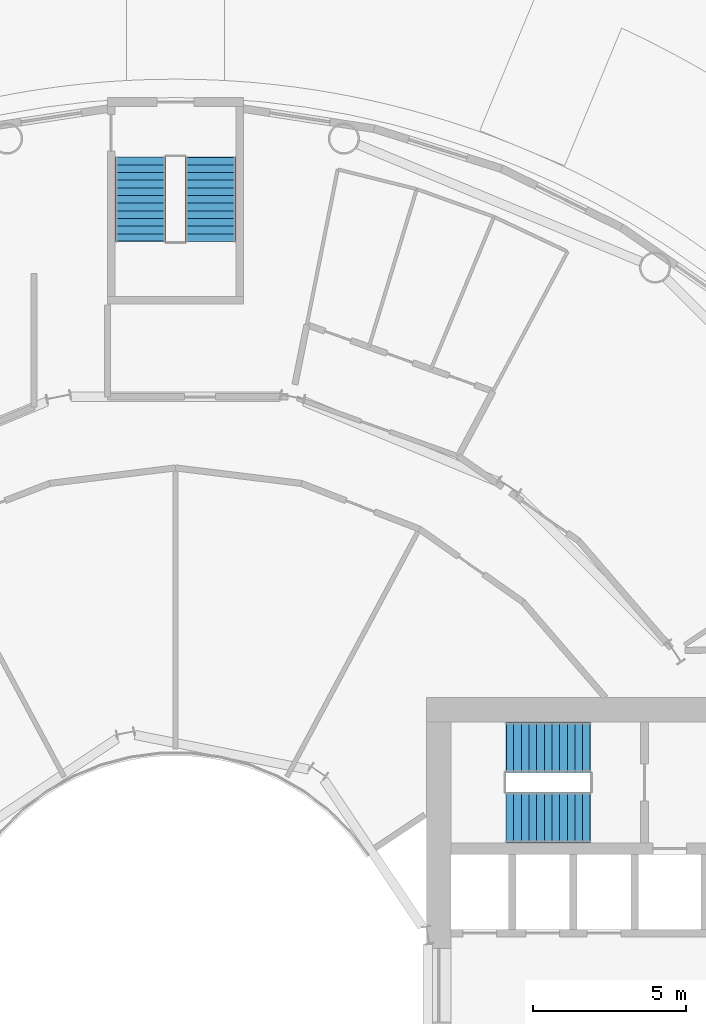
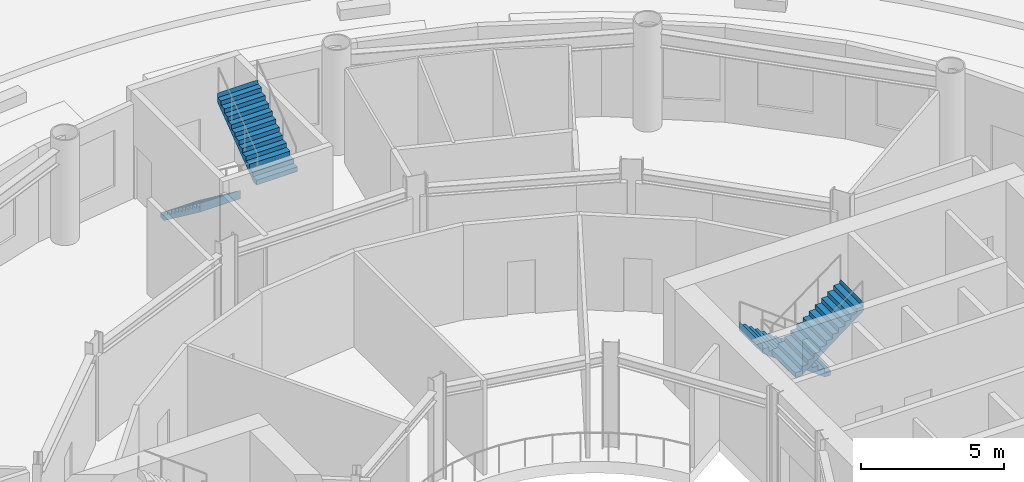
# One storey, part 17 of 19: 4 stair flights, 2 elements without a shape of their own.
"""IFC4 building model written with IfcOpenShell, lengths in metres."""

from ifc_helpers import new_model, si_unit, direction, frame, origin, place, context, subcontext, project, spatial, triangles, material, type_object, element, aggregate, save


model = new_model("IFC4")

# Units and contexts
model_context = context("Model", 3, precision=1e-05, world=origin(), true_north=direction((0.0, 1.0)))
body_context = subcontext(model_context, "Body", "Model", "MODEL_VIEW")
ifc_project = project(units=[si_unit("LENGTHUNIT", "METRE"), si_unit("AREAUNIT", "SQUARE_METRE"), si_unit("VOLUMEUNIT", "CUBIC_METRE"), si_unit("PLANEANGLEUNIT", "RADIAN"), si_unit("MASSUNIT", "GRAM", prefix="KILO")], contexts=[model_context])

# Site, building, storey
site_placement = place(None, origin())
site = spatial("IfcSite", under=ifc_project, at=site_placement, CompositionType="ELEMENT")
building_placement = place(site_placement, origin())
building = spatial("IfcBuilding", under=site, at=building_placement, Name="Maasbend Ring Residences", CompositionType="ELEMENT")
storey_placement = place(building_placement, frame((0.0, 0.0, 9.60009765625)))
storey = spatial("IfcBuildingStorey", under=building, at=storey_placement, Name="L02", CompositionType="ELEMENT", Elevation=9.60009765625)

# Stair, stair flights
ifc_material_1 = material(Name="Concrete C40/50", Category="concrete")
stair_type = type_object("IfcStairType", Name="CORE STAIR 24 RISERS", PredefinedType="HALF_TURN_STAIR", material=ifc_material_1)
stair_1_placement = place(storey_placement, origin())
stair_1 = element("IfcStair", 1, at=stair_1_placement, inside=storey, type_object=stair_type, Name="L02 Exit stair ST-E1", PredefinedType="HALF_TURN_STAIR")
ifc_material_2 = material(Name="Concrete C40/50", Category="concrete")
stair_flight_type = type_object("IfcStairFlightType", Name="CORE STAIR FLIGHT 1650", PredefinedType="STRAIGHT", material=ifc_material_2)
stair_flight_1_placement = place(storey_placement, frame((13.550048828125, 7.77490234375, 0.0), z_axis=(0.0, 0.0, 1.0), x_axis=(-1.0, 0.0, 0.0)))
stair_flight_1 = element("IfcStairFlight", 2, at=stair_flight_1_placement, type_object=stair_flight_type, Name="ST-E1 flight 1", NumberOfRisers=12, NumberOfTreads=11, PredefinedType="STRAIGHT", RiserHeight=0.1875, TreadLength=0.25, context=body_context, shape_type="Tessellation", body=[
    triangles([(0.22607421875, 0.824951171875, -0.02001953125), (2.7529296875, 0.824951171875, 1.875), (2.7529296875, 0.824951171875, 2.25), (2.739990234375, 0.824951171875, 2.0625), (2.5, 0.824951171875, 2.0625), (2.5, 0.824951171875, 1.875), (2.25, 0.824951171875, 1.875), (2.25, 0.824951171875, 1.6875), (2.0, 0.824951171875, 1.6875), (2.0, 0.824951171875, 1.5), (1.75, 0.824951171875, 1.5), (1.75, 0.824951171875, 1.3125), (1.5, 0.824951171875, 1.3125), (1.5, 0.824951171875, 1.125), (1.25, 0.824951171875, 1.125), (1.25, 0.824951171875, 0.9375), (1.0, 0.824951171875, 0.9375), (1.0, 0.824951171875, 0.75), (0.75, 0.824951171875, 0.75), (0.75, 0.824951171875, 0.5625), (0.5, 0.824951171875, 0.5625), (0.5, 0.824951171875, 0.375), (0.25, 0.824951171875, 0.375), (0.25, 0.824951171875, 0.1875), (0.0, 0.824951171875, 0.1875), (0.0, 0.824951171875, 0.0), (-0.0029296875, 0.824951171875, 0.0), (-0.0029296875, 0.824951171875, -0.02001953125), (0.22607421875, -0.824951171875, -0.02001953125), (2.7529296875, -0.824951171875, 1.875), (2.7529296875, -0.824951171875, 2.25), (2.739990234375, -0.824951171875, 2.0625), (2.5, -0.824951171875, 2.0625), (2.5, -0.824951171875, 1.875), (2.25, -0.824951171875, 1.875), (2.25, -0.824951171875, 1.6875), (2.0, -0.824951171875, 1.6875), (2.0, -0.824951171875, 1.5), (1.75, -0.824951171875, 1.5), (1.75, -0.824951171875, 1.3125), (1.5, -0.824951171875, 1.3125), (1.5, -0.824951171875, 1.125), (1.25, -0.824951171875, 1.125), (1.25, -0.824951171875, 0.9375), (1.0, -0.824951171875, 0.9375), (1.0, -0.824951171875, 0.75), (0.75, -0.824951171875, 0.75), (0.75, -0.824951171875, 0.5625), (0.5, -0.824951171875, 0.5625), (0.5, -0.824951171875, 0.375), (0.25, -0.824951171875, 0.375), (0.25, -0.824951171875, 0.1875), (0.0, -0.824951171875, 0.1875), (0.0, -0.824951171875, 0.0), (-0.0029296875, -0.824951171875, 0.0), (-0.0029296875, -0.824951171875, -0.02001953125)], [[1, 2, 30], [1, 30, 29], [2, 3, 31], [2, 31, 30], [3, 4, 32], [3, 32, 31], [4, 5, 33], [4, 33, 32], [5, 6, 34], [5, 34, 33], [6, 7, 35], [6, 35, 34], [7, 8, 36], [7, 36, 35], [8, 9, 37], [8, 37, 36], [9, 10, 38], [9, 38, 37], [10, 11, 39], [10, 39, 38], [11, 12, 40], [11, 40, 39], [12, 13, 41], [12, 41, 40], [13, 14, 42], [13, 42, 41], [14, 15, 43], [14, 43, 42], [15, 16, 44], [15, 44, 43], [16, 17, 45], [16, 45, 44], [17, 18, 46], [17, 46, 45], [18, 19, 47], [18, 47, 46], [19, 20, 48], [19, 48, 47], [20, 21, 49], [20, 49, 48], [21, 22, 50], [21, 50, 49], [22, 23, 51], [22, 51, 50], [23, 24, 52], [23, 52, 51], [24, 25, 53], [24, 53, 52], [25, 26, 54], [25, 54, 53], [26, 27, 55], [26, 55, 54], [27, 28, 56], [27, 56, 55], [28, 1, 29], [28, 29, 56], [28, 2, 1], [2, 4, 3], [2, 5, 4], [2, 6, 5], [28, 6, 2], [6, 8, 7], [28, 8, 6], [8, 10, 9], [28, 10, 8], [10, 12, 11], [28, 12, 10], [12, 14, 13], [28, 14, 12], [14, 16, 15], [28, 16, 14], [16, 18, 17], [28, 18, 16], [18, 20, 19], [28, 20, 18], [20, 22, 21], [28, 22, 20], [22, 24, 23], [28, 24, 22], [24, 26, 25], [28, 26, 24], [26, 28, 27], [56, 29, 30], [30, 31, 32], [30, 32, 33], [30, 33, 34], [56, 30, 34], [34, 35, 36], [56, 34, 36], [36, 37, 38], [56, 36, 38], [38, 39, 40], [56, 38, 40], [40, 41, 42], [56, 40, 42], [42, 43, 44], [56, 42, 44], [44, 45, 46], [56, 44, 46], [46, 47, 48], [56, 46, 48], [48, 49, 50], [56, 48, 50], [50, 51, 52], [56, 50, 52], [52, 53, 54], [56, 52, 54], [54, 55, 56]], closed=True),
])
stair_flight_2_placement = place(storey_placement, frame((10.800048828125, 5.47509765625, 2.25), z_axis=(0.0, 0.0, 1.0), x_axis=(1.0, 0.0, 0.0)))
stair_flight_2 = element("IfcStairFlight", 3, at=stair_flight_2_placement, type_object=stair_flight_type, Name="ST-E1 flight 2", NumberOfRisers=12, NumberOfTreads=11, PredefinedType="STRAIGHT", RiserHeight=0.1875, TreadLength=0.25, context=body_context, shape_type="Tessellation", body=[
    triangles([(0.22607421875, 0.824951171875, -0.02001953125), (2.7529296875, 0.824951171875, 1.875), (2.7529296875, 0.824951171875, 2.25), (2.739990234375, 0.824951171875, 2.0625), (2.5, 0.824951171875, 2.0625), (2.5, 0.824951171875, 1.875), (2.25, 0.824951171875, 1.875), (2.25, 0.824951171875, 1.6875), (2.0, 0.824951171875, 1.6875), (2.0, 0.824951171875, 1.5), (1.75, 0.824951171875, 1.5), (1.75, 0.824951171875, 1.3125), (1.5, 0.824951171875, 1.3125), (1.5, 0.824951171875, 1.125), (1.25, 0.824951171875, 1.125), (1.25, 0.824951171875, 0.9375), (1.0, 0.824951171875, 0.9375), (1.0, 0.824951171875, 0.75), (0.75, 0.824951171875, 0.75), (0.75, 0.824951171875, 0.5625), (0.5, 0.824951171875, 0.5625), (0.5, 0.824951171875, 0.375), (0.25, 0.824951171875, 0.375), (0.25, 0.824951171875, 0.1875), (0.0, 0.824951171875, 0.1875), (0.0, 0.824951171875, 0.0), (-0.0029296875, 0.824951171875, 0.0), (-0.0029296875, 0.824951171875, -0.02001953125), (0.22607421875, -0.824951171875, -0.02001953125), (2.7529296875, -0.824951171875, 1.875), (2.7529296875, -0.824951171875, 2.25), (2.739990234375, -0.824951171875, 2.0625), (2.5, -0.824951171875, 2.0625), (2.5, -0.824951171875, 1.875), (2.25, -0.824951171875, 1.875), (2.25, -0.824951171875, 1.6875), (2.0, -0.824951171875, 1.6875), (2.0, -0.824951171875, 1.5), (1.75, -0.824951171875, 1.5), (1.75, -0.824951171875, 1.3125), (1.5, -0.824951171875, 1.3125), (1.5, -0.824951171875, 1.125), (1.25, -0.824951171875, 1.125), (1.25, -0.824951171875, 0.9375), (1.0, -0.824951171875, 0.9375), (1.0, -0.824951171875, 0.75), (0.75, -0.824951171875, 0.75), (0.75, -0.824951171875, 0.5625), (0.5, -0.824951171875, 0.5625), (0.5, -0.824951171875, 0.375), (0.25, -0.824951171875, 0.375), (0.25, -0.824951171875, 0.1875), (0.0, -0.824951171875, 0.1875), (0.0, -0.824951171875, 0.0), (-0.0029296875, -0.824951171875, 0.0), (-0.0029296875, -0.824951171875, -0.02001953125)], [[1, 2, 30], [1, 30, 29], [2, 3, 31], [2, 31, 30], [3, 4, 32], [3, 32, 31], [4, 5, 33], [4, 33, 32], [5, 6, 34], [5, 34, 33], [6, 7, 35], [6, 35, 34], [7, 8, 36], [7, 36, 35], [8, 9, 37], [8, 37, 36], [9, 10, 38], [9, 38, 37], [10, 11, 39], [10, 39, 38], [11, 12, 40], [11, 40, 39], [12, 13, 41], [12, 41, 40], [13, 14, 42], [13, 42, 41], [14, 15, 43], [14, 43, 42], [15, 16, 44], [15, 44, 43], [16, 17, 45], [16, 45, 44], [17, 18, 46], [17, 46, 45], [18, 19, 47], [18, 47, 46], [19, 20, 48], [19, 48, 47], [20, 21, 49], [20, 49, 48], [21, 22, 50], [21, 50, 49], [22, 23, 51], [22, 51, 50], [23, 24, 52], [23, 52, 51], [24, 25, 53], [24, 53, 52], [25, 26, 54], [25, 54, 53], [26, 27, 55], [26, 55, 54], [27, 28, 56], [27, 56, 55], [28, 1, 29], [28, 29, 56], [28, 2, 1], [2, 4, 3], [2, 5, 4], [2, 6, 5], [28, 6, 2], [6, 8, 7], [28, 8, 6], [8, 10, 9], [28, 10, 8], [10, 12, 11], [28, 12, 10], [12, 14, 13], [28, 14, 12], [14, 16, 15], [28, 16, 14], [16, 18, 17], [28, 18, 16], [18, 20, 19], [28, 20, 18], [20, 22, 21], [28, 22, 20], [22, 24, 23], [28, 24, 22], [24, 26, 25], [28, 26, 24], [26, 28, 27], [56, 29, 30], [30, 31, 32], [30, 32, 33], [30, 33, 34], [56, 30, 34], [34, 35, 36], [56, 34, 36], [36, 37, 38], [56, 36, 38], [38, 39, 40], [56, 38, 40], [40, 41, 42], [56, 40, 42], [42, 43, 44], [56, 42, 44], [44, 45, 46], [56, 44, 46], [46, 47, 48], [56, 46, 48], [48, 49, 50], [56, 48, 50], [50, 51, 52], [56, 50, 52], [52, 53, 54], [56, 52, 54], [54, 55, 56]], closed=True),
])
aggregate(stair_1, [stair_flight_1, stair_flight_2])

stair_2_placement = place(storey_placement, origin())
stair_2 = element("IfcStair", 4, at=stair_2_placement, inside=storey, type_object=stair_type, Name="L02 Exit stair ST-P4", PredefinedType="HALF_TURN_STAIR")
stair_flight_3_placement = place(storey_placement, frame((-1.14990234375, 27.050048828125, 0.0), z_axis=(0.0, 0.0, 1.0), x_axis=(0.0, -1.0, 0.0)))
stair_flight_3 = element("IfcStairFlight", 5, at=stair_flight_3_placement, type_object=stair_flight_type, Name="ST-P4 flight 1", NumberOfRisers=12, NumberOfTreads=11, PredefinedType="STRAIGHT", RiserHeight=0.1875, TreadLength=0.25, context=body_context, shape_type="Tessellation", body=[
    triangles([(0.22607421875, 0.824951171875, -0.02001953125), (2.7529296875, 0.824951171875, 1.875), (2.7529296875, 0.824951171875, 2.25), (2.739990234375, 0.824951171875, 2.0625), (2.5, 0.824951171875, 2.0625), (2.5, 0.824951171875, 1.875), (2.25, 0.824951171875, 1.875), (2.25, 0.824951171875, 1.6875), (2.0, 0.824951171875, 1.6875), (2.0, 0.824951171875, 1.5), (1.75, 0.824951171875, 1.5), (1.75, 0.824951171875, 1.3125), (1.5, 0.824951171875, 1.3125), (1.5, 0.824951171875, 1.125), (1.25, 0.824951171875, 1.125), (1.25, 0.824951171875, 0.9375), (1.0, 0.824951171875, 0.9375), (1.0, 0.824951171875, 0.75), (0.75, 0.824951171875, 0.75), (0.75, 0.824951171875, 0.5625), (0.5, 0.824951171875, 0.5625), (0.5, 0.824951171875, 0.375), (0.25, 0.824951171875, 0.375), (0.25, 0.824951171875, 0.1875), (0.0, 0.824951171875, 0.1875), (0.0, 0.824951171875, 0.0), (-0.0029296875, 0.824951171875, 0.0), (-0.0029296875, 0.824951171875, -0.02001953125), (0.22607421875, -0.824951171875, -0.02001953125), (2.7529296875, -0.824951171875, 1.875), (2.7529296875, -0.824951171875, 2.25), (2.739990234375, -0.824951171875, 2.0625), (2.5, -0.824951171875, 2.0625), (2.5, -0.824951171875, 1.875), (2.25, -0.824951171875, 1.875), (2.25, -0.824951171875, 1.6875), (2.0, -0.824951171875, 1.6875), (2.0, -0.824951171875, 1.5), (1.75, -0.824951171875, 1.5), (1.75, -0.824951171875, 1.3125), (1.5, -0.824951171875, 1.3125), (1.5, -0.824951171875, 1.125), (1.25, -0.824951171875, 1.125), (1.25, -0.824951171875, 0.9375), (1.0, -0.824951171875, 0.9375), (1.0, -0.824951171875, 0.75), (0.75, -0.824951171875, 0.75), (0.75, -0.824951171875, 0.5625), (0.5, -0.824951171875, 0.5625), (0.5, -0.824951171875, 0.375), (0.25, -0.824951171875, 0.375), (0.25, -0.824951171875, 0.1875), (0.0, -0.824951171875, 0.1875), (0.0, -0.824951171875, 0.0), (-0.0029296875, -0.824951171875, 0.0), (-0.0029296875, -0.824951171875, -0.02001953125)], [[1, 2, 30], [1, 30, 29], [2, 3, 31], [2, 31, 30], [3, 4, 32], [3, 32, 31], [4, 5, 33], [4, 33, 32], [5, 6, 34], [5, 34, 33], [6, 7, 35], [6, 35, 34], [7, 8, 36], [7, 36, 35], [8, 9, 37], [8, 37, 36], [9, 10, 38], [9, 38, 37], [10, 11, 39], [10, 39, 38], [11, 12, 40], [11, 40, 39], [12, 13, 41], [12, 41, 40], [13, 14, 42], [13, 42, 41], [14, 15, 43], [14, 43, 42], [15, 16, 44], [15, 44, 43], [16, 17, 45], [16, 45, 44], [17, 18, 46], [17, 46, 45], [18, 19, 47], [18, 47, 46], [19, 20, 48], [19, 48, 47], [20, 21, 49], [20, 49, 48], [21, 22, 50], [21, 50, 49], [22, 23, 51], [22, 51, 50], [23, 24, 52], [23, 52, 51], [24, 25, 53], [24, 53, 52], [25, 26, 54], [25, 54, 53], [26, 27, 55], [26, 55, 54], [27, 28, 56], [27, 56, 55], [28, 1, 29], [28, 29, 56], [28, 2, 1], [2, 4, 3], [2, 5, 4], [2, 6, 5], [28, 6, 2], [6, 8, 7], [28, 8, 6], [8, 10, 9], [28, 10, 8], [10, 12, 11], [28, 12, 10], [12, 14, 13], [28, 14, 12], [14, 16, 15], [28, 16, 14], [16, 18, 17], [28, 18, 16], [18, 20, 19], [28, 20, 18], [20, 22, 21], [28, 22, 20], [22, 24, 23], [28, 24, 22], [24, 26, 25], [28, 26, 24], [26, 28, 27], [56, 29, 30], [30, 31, 32], [30, 32, 33], [30, 33, 34], [56, 30, 34], [34, 35, 36], [56, 34, 36], [36, 37, 38], [56, 36, 38], [38, 39, 40], [56, 38, 40], [40, 41, 42], [56, 40, 42], [42, 43, 44], [56, 42, 44], [44, 45, 46], [56, 44, 46], [46, 47, 48], [56, 46, 48], [48, 49, 50], [56, 48, 50], [50, 51, 52], [56, 50, 52], [52, 53, 54], [56, 52, 54], [54, 55, 56]], closed=True),
])
stair_flight_4_placement = place(storey_placement, frame((1.14990234375, 24.300048828125, 2.25), z_axis=(0.0, 0.0, 1.0), x_axis=(0.0, 1.0, 0.0)))
stair_flight_4 = element("IfcStairFlight", 6, at=stair_flight_4_placement, type_object=stair_flight_type, Name="ST-P4 flight 2", NumberOfRisers=12, NumberOfTreads=11, PredefinedType="STRAIGHT", RiserHeight=0.1875, TreadLength=0.25, context=body_context, shape_type="Tessellation", body=[
    triangles([(0.22607421875, 0.824951171875, -0.02001953125), (2.7529296875, 0.824951171875, 1.875), (2.7529296875, 0.824951171875, 2.25), (2.739990234375, 0.824951171875, 2.0625), (2.5, 0.824951171875, 2.0625), (2.5, 0.824951171875, 1.875), (2.25, 0.824951171875, 1.875), (2.25, 0.824951171875, 1.6875), (2.0, 0.824951171875, 1.6875), (2.0, 0.824951171875, 1.5), (1.75, 0.824951171875, 1.5), (1.75, 0.824951171875, 1.3125), (1.5, 0.824951171875, 1.3125), (1.5, 0.824951171875, 1.125), (1.25, 0.824951171875, 1.125), (1.25, 0.824951171875, 0.9375), (1.0, 0.824951171875, 0.9375), (1.0, 0.824951171875, 0.75), (0.75, 0.824951171875, 0.75), (0.75, 0.824951171875, 0.5625), (0.5, 0.824951171875, 0.5625), (0.5, 0.824951171875, 0.375), (0.25, 0.824951171875, 0.375), (0.25, 0.824951171875, 0.1875), (0.0, 0.824951171875, 0.1875), (0.0, 0.824951171875, 0.0), (-0.0029296875, 0.824951171875, 0.0), (-0.0029296875, 0.824951171875, -0.02001953125), (0.22607421875, -0.824951171875, -0.02001953125), (2.7529296875, -0.824951171875, 1.875), (2.7529296875, -0.824951171875, 2.25), (2.739990234375, -0.824951171875, 2.0625), (2.5, -0.824951171875, 2.0625), (2.5, -0.824951171875, 1.875), (2.25, -0.824951171875, 1.875), (2.25, -0.824951171875, 1.6875), (2.0, -0.824951171875, 1.6875), (2.0, -0.824951171875, 1.5), (1.75, -0.824951171875, 1.5), (1.75, -0.824951171875, 1.3125), (1.5, -0.824951171875, 1.3125), (1.5, -0.824951171875, 1.125), (1.25, -0.824951171875, 1.125), (1.25, -0.824951171875, 0.9375), (1.0, -0.824951171875, 0.9375), (1.0, -0.824951171875, 0.75), (0.75, -0.824951171875, 0.75), (0.75, -0.824951171875, 0.5625), (0.5, -0.824951171875, 0.5625), (0.5, -0.824951171875, 0.375), (0.25, -0.824951171875, 0.375), (0.25, -0.824951171875, 0.1875), (0.0, -0.824951171875, 0.1875), (0.0, -0.824951171875, 0.0), (-0.0029296875, -0.824951171875, 0.0), (-0.0029296875, -0.824951171875, -0.02001953125)], [[1, 2, 30], [1, 30, 29], [2, 3, 31], [2, 31, 30], [3, 4, 32], [3, 32, 31], [4, 5, 33], [4, 33, 32], [5, 6, 34], [5, 34, 33], [6, 7, 35], [6, 35, 34], [7, 8, 36], [7, 36, 35], [8, 9, 37], [8, 37, 36], [9, 10, 38], [9, 38, 37], [10, 11, 39], [10, 39, 38], [11, 12, 40], [11, 40, 39], [12, 13, 41], [12, 41, 40], [13, 14, 42], [13, 42, 41], [14, 15, 43], [14, 43, 42], [15, 16, 44], [15, 44, 43], [16, 17, 45], [16, 45, 44], [17, 18, 46], [17, 46, 45], [18, 19, 47], [18, 47, 46], [19, 20, 48], [19, 48, 47], [20, 21, 49], [20, 49, 48], [21, 22, 50], [21, 50, 49], [22, 23, 51], [22, 51, 50], [23, 24, 52], [23, 52, 51], [24, 25, 53], [24, 53, 52], [25, 26, 54], [25, 54, 53], [26, 27, 55], [26, 55, 54], [27, 28, 56], [27, 56, 55], [28, 1, 29], [28, 29, 56], [28, 2, 1], [2, 4, 3], [2, 5, 4], [2, 6, 5], [28, 6, 2], [6, 8, 7], [28, 8, 6], [8, 10, 9], [28, 10, 8], [10, 12, 11], [28, 12, 10], [12, 14, 13], [28, 14, 12], [14, 16, 15], [28, 16, 14], [16, 18, 17], [28, 18, 16], [18, 20, 19], [28, 20, 18], [20, 22, 21], [28, 22, 20], [22, 24, 23], [28, 24, 22], [24, 26, 25], [28, 26, 24], [26, 28, 27], [56, 29, 30], [30, 31, 32], [30, 32, 33], [30, 33, 34], [56, 30, 34], [34, 35, 36], [56, 34, 36], [36, 37, 38], [56, 36, 38], [38, 39, 40], [56, 38, 40], [40, 41, 42], [56, 40, 42], [42, 43, 44], [56, 42, 44], [44, 45, 46], [56, 44, 46], [46, 47, 48], [56, 46, 48], [48, 49, 50], [56, 48, 50], [50, 51, 52], [56, 50, 52], [52, 53, 54], [56, 52, 54], [54, 55, 56]], closed=True),
])
aggregate(stair_2, [stair_flight_3, stair_flight_4])

save(model, "model.ifc")
